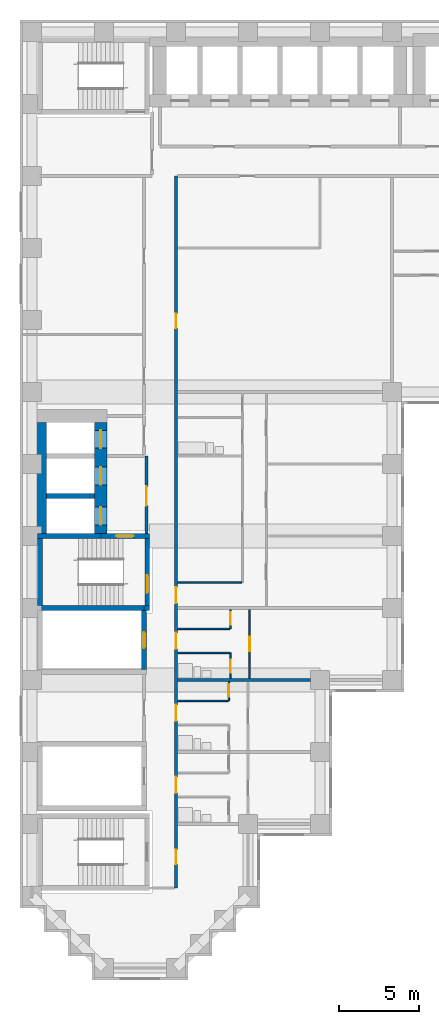
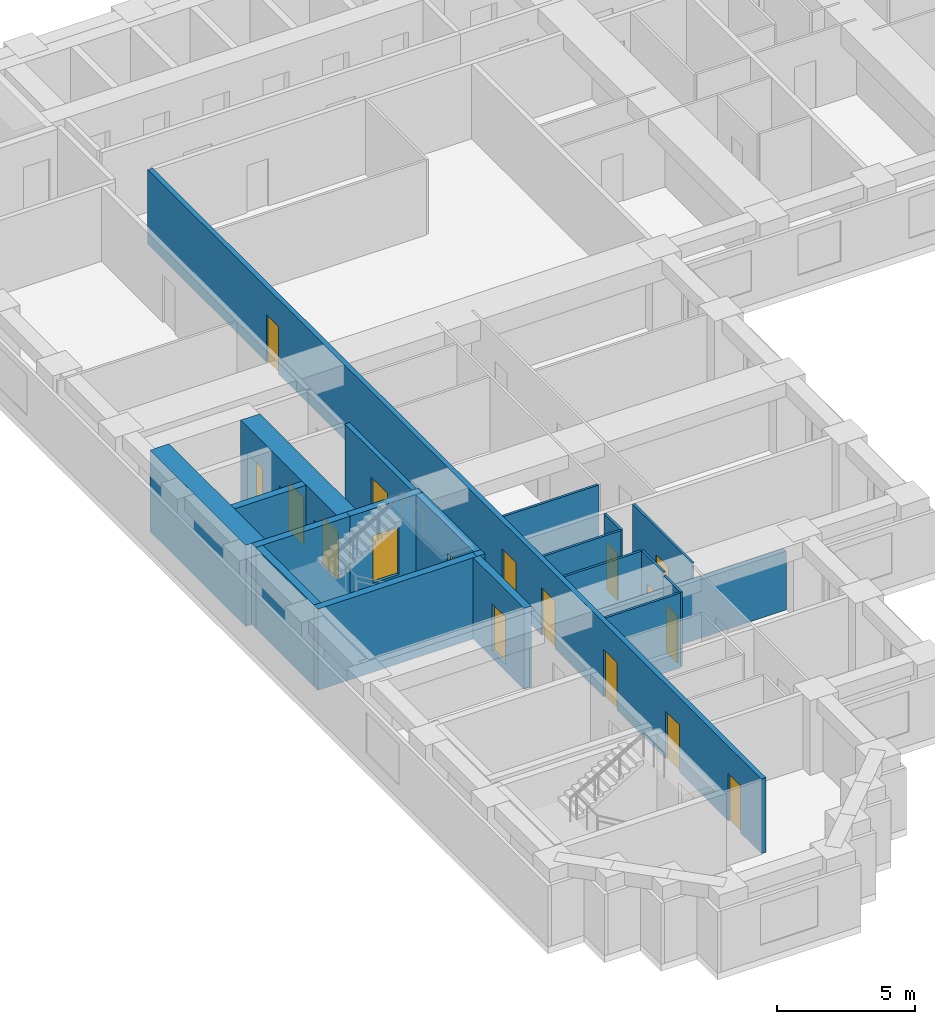
# One storey, part 3 of 11: 21 walls, 17 doors, 17 openings.
"""IFC4 building model written with IfcOpenShell, lengths in metres."""

from ifc_helpers import new_model, si_unit, direction, frame, frame_2d, origin, place, context, subcontext, project, spatial, rectangle, extrude, material, layer, layer_set, type_object, element, fill, save


model = new_model("IFC4")

# Units and contexts
model_context = context("Model", 3, precision=1e-05, world=origin(), true_north=direction((0.0, 1.0)))
body_context = subcontext(model_context, "Body", "Model", "MODEL_VIEW")
ifc_project = project(units=[si_unit("LENGTHUNIT", "METRE"), si_unit("AREAUNIT", "SQUARE_METRE"), si_unit("VOLUMEUNIT", "CUBIC_METRE"), si_unit("PLANEANGLEUNIT", "RADIAN"), si_unit("MASSUNIT", "GRAM", prefix="KILO")], contexts=[model_context])

# Site, building, storey
site_placement = place(None, origin())
site = spatial("IfcSite", under=ifc_project, at=site_placement, CompositionType="ELEMENT")
building_placement = place(site_placement, origin())
building = spatial("IfcBuilding", under=site, at=building_placement, Name="Firuza Court", CompositionType="ELEMENT")
storey_placement = place(building_placement, frame((0.0, 0.0, 79.39990234375)))
storey = spatial("IfcBuildingStorey", under=building, at=storey_placement, Name="L19", CompositionType="ELEMENT", Elevation=79.39990234375)

# Walls
ifc_material_1 = material(Name="Moisture-resistant gypsum board partition")
ifc_layer_1 = layer(ifc_material_1, 0.10009765625)
ifc_layer_set_1 = layer_set([ifc_layer_1], Name="Moisture-resistant gypsum board partition")
wall_type_1 = type_object("IfcWallType", Name="Bathroom partition 100", PredefinedType="PLUMBINGWALL", material=ifc_layer_set_1)
wall_1_placement = place(storey_placement, frame((9.10009765625, 19.699951171875, 0.0), z_axis=(0.0, 0.0, 1.0), x_axis=(1.0, 0.0, 0.0)))
element("IfcWall", 1, at=wall_1_placement, inside=storey, type_object=wall_type_1, Name="Bathroom partition 100 L19", PredefinedType="PLUMBINGWALL", context=body_context, shape_type="SweptSolid", body=[
    extrude(rectangle(XDim=3.25, YDim=0.10009765625, at=frame_2d((1.625, 0.0))), origin(), (0.0, 0.0, 1.0), 3.300048828125),
])
ifc_material_2 = material(Name="Concrete C60/75", Category="concrete")
ifc_layer_2 = layer(ifc_material_2, 0.300048828125)
ifc_layer_set_2 = layer_set([ifc_layer_2], Name="Concrete C60/75")
wall_type_2 = type_object("IfcWallType", Name="Core wall 300 C60/75", PredefinedType="SHEAR", material=ifc_layer_set_2)
wall_2_placement = place(storey_placement, frame((0.35009765625, 22.5, -0.2998046875), z_axis=(0.0, 0.0, 1.0), x_axis=(1.0, 0.0, 0.0)))
element("IfcWall", 2, at=wall_2_placement, inside=storey, type_object=wall_type_2, Name="Core wall riser L19", PredefinedType="SHEAR", context=body_context, shape_type="SweptSolid", body=[
    extrude(rectangle(XDim=6.64990234375, YDim=0.300048828125, at=frame_2d((3.324951171875, 0.0))), origin(), (0.0, 0.0, 1.0), 3.599853515625),
])
wall_3_placement = place(storey_placement, frame((0.35009765625, 27.0, -0.2998046875), z_axis=(0.0, 0.0, 1.0), x_axis=(1.0, 0.0, 0.0)))
element("IfcWall", 3, at=wall_3_placement, inside=storey, type_object=wall_type_2, Name="Core wall lift shaft L19", PredefinedType="SHEAR", context=body_context, shape_type="SweptSolid", body=[
    extrude(rectangle(XDim=3.949951171875, YDim=0.300048828125, at=frame_2d((1.97509765625, 0.0))), origin(), (0.0, 0.0, 1.0), 3.599853515625),
])
wall_4_placement = place(storey_placement, frame((0.5, 22.64990234375, -0.2998046875), z_axis=(0.0, 0.0, 1.0), x_axis=(0.0, 1.0, 0.0)))
element("IfcWall", 4, at=wall_4_placement, inside=storey, type_object=wall_type_2, Name="Core wall stair L19", PredefinedType="SHEAR", context=body_context, shape_type="SweptSolid", body=[
    extrude(rectangle(XDim=4.2001953125, YDim=0.300048828125, at=frame_2d((2.10009765625, 0.0))), origin(), (0.0, 0.0, 1.0), 3.599853515625),
])
wall_5_placement = place(storey_placement, frame((0.89990234375, 29.5, -0.2998046875), z_axis=(0.0, 0.0, 1.0), x_axis=(1.0, 0.0, 0.0)))
element("IfcWall", 5, at=wall_5_placement, inside=storey, type_object=wall_type_2, Name="Core wall lift shaft L19", PredefinedType="SHEAR", context=body_context, shape_type="SweptSolid", body=[
    extrude(rectangle(XDim=3.0, YDim=0.300048828125, at=frame_2d((1.5, 0.0))), origin(), (0.0, 0.0, 1.0), 3.599853515625),
])

# Wall, opening, door
wall_6_placement = place(storey_placement, frame((4.300048828125, 27.0, -0.2998046875), z_axis=(0.0, 0.0, 1.0), x_axis=(1.0, 0.0, 0.0)))
wall_6 = element("IfcWall", 6, at=wall_6_placement, inside=storey, type_object=wall_type_2, Name="Core wall stair L19", PredefinedType="SHEAR", context=body_context, shape_type="SweptSolid", body=[
    extrude(rectangle(XDim=3.050048828125, YDim=0.300048828125, at=frame_2d((1.52490234375, 0.0))), origin(), (0.0, 0.0, 1.0), 3.599853515625),
])
opening_1_placement = place(wall_6_placement, frame((0.949951171875, 0.0, 0.300048828125)))
opening_1 = element("IfcOpeningElement", 7, at=opening_1_placement, cuts=wall_6, Name="Opening D19014", PredefinedType="OPENING", context=body_context, shape_type="SweptSolid", body=[
    extrude(rectangle(XDim=1.10009765625, YDim=2.10009765625, at=frame_2d((0.550048828125, 1.050048828125))), frame((0.0, 0.162109375, 0.0), z_axis=(0.0, -1.0, 0.0), x_axis=(1.0, 0.0, 0.0)), (0.0, 0.0, 1.0), 0.323974609375),
])
ifc_material_3 = material(Name="Timber door leaf in hardwood frame", Category="wood")
door_type_1 = type_object("IfcDoorType", Name="Stair door 1100", OperationType="SINGLE_SWING_LEFT", PredefinedType="DOOR", material=ifc_material_3)
door_1_placement = place(opening_1_placement, frame((1.10009765625, 0.0, 0.0), z_axis=(0.0, 0.0, 1.0), x_axis=(-1.0, 0.0, 0.0)))
door_1 = element("IfcDoor", 8, at=door_1_placement, inside=storey, type_object=door_type_1, Name="Fire-fighting lobby door", OperationType="SINGLE_SWING_LEFT", OverallHeight=2.10009765625, OverallWidth=1.10009765625, PredefinedType="DOOR", context=body_context, shape_type="SweptSolid", body=[
    extrude(rectangle(XDim=1.10009765625, YDim=2.10009765625, at=frame_2d((0.550048828125, 1.050048828125))), frame((0.0, 0.02490234375, 0.0), z_axis=(0.0, -1.0, 0.0), x_axis=(1.0, 0.0, 0.0)), (0.0, 0.0, 1.0), 0.050048828125),
])
fill(opening_1, door_1)

wall_7_placement = place(storey_placement, frame((7.0, 18.64990234375, -0.2998046875), z_axis=(0.0, 0.0, 1.0), x_axis=(0.0, 1.0, 0.0)))
wall_7 = element("IfcWall", 9, at=wall_7_placement, inside=storey, type_object=wall_type_2, Name="Core wall riser L19", PredefinedType="SHEAR", context=body_context, shape_type="SweptSolid", body=[
    extrude(rectangle(XDim=3.7001953125, YDim=0.300048828125, at=frame_2d((1.85009765625, 0.0))), origin(), (0.0, 0.0, 1.0), 3.599853515625),
])
opening_2_placement = place(wall_7_placement, frame((1.35009765625, 0.0, 0.300048828125)))
opening_2 = element("IfcOpeningElement", 10, at=opening_2_placement, cuts=wall_7, Name="Opening D19010", PredefinedType="OPENING", context=body_context, shape_type="SweptSolid", body=[
    extrude(rectangle(XDim=1.0, YDim=2.10009765625, at=frame_2d((0.5, 1.050048828125))), frame((0.0, 0.162109375, 0.0), z_axis=(0.0, -1.0, 0.0), x_axis=(1.0, 0.0, 0.0)), (0.0, 0.0, 1.0), 0.323974609375),
])
ifc_material_4 = material(Name="Timber door leaf in hardwood frame", Category="wood")
door_type_2 = type_object("IfcDoorType", Name="Riser door 1000", OperationType="SINGLE_SWING_LEFT", PredefinedType="DOOR", material=ifc_material_4)
door_2_placement = place(opening_2_placement, origin())
door_2 = element("IfcDoor", 11, at=door_2_placement, inside=storey, type_object=door_type_2, Name="Riser door R1", OperationType="SINGLE_SWING_LEFT", OverallHeight=2.10009765625, OverallWidth=1.0, PredefinedType="DOOR", context=body_context, shape_type="SweptSolid", body=[
    extrude(rectangle(XDim=1.0, YDim=2.10009765625, at=frame_2d((0.5, 1.050048828125))), frame((0.0, 0.02490234375, 0.0), z_axis=(0.0, -1.0, 0.0), x_axis=(1.0, 0.0, 0.0)), (0.0, 0.0, 1.0), 0.050048828125),
])
fill(opening_2, door_2)

# Wall
wall_8_placement = place(storey_placement, frame((7.0, 22.5, -0.2998046875), z_axis=(0.0, 0.0, 1.0), x_axis=(1.0, 0.0, 0.0)))
element("IfcWall", 12, at=wall_8_placement, inside=storey, type_object=wall_type_2, Name="Core wall stair L19", PredefinedType="SHEAR", context=body_context, shape_type="SweptSolid", body=[
    extrude(rectangle(XDim=0.35009765625, YDim=0.300048828125, at=frame_2d((0.175048828125, 0.0))), origin(), (0.0, 0.0, 1.0), 3.599853515625),
])

# Wall, opening, door
wall_9_placement = place(storey_placement, frame((7.199951171875, 22.64990234375, -0.2998046875), z_axis=(0.0, 0.0, 1.0), x_axis=(0.0, 1.0, 0.0)))
wall_9 = element("IfcWall", 13, at=wall_9_placement, inside=storey, type_object=wall_type_2, Name="Core wall stair L19", PredefinedType="SHEAR", context=body_context, shape_type="SweptSolid", body=[
    extrude(rectangle(XDim=4.2001953125, YDim=0.300048828125, at=frame_2d((2.10009765625, 0.0))), origin(), (0.0, 0.0, 1.0), 3.599853515625),
])
opening_3_placement = place(wall_9_placement, frame((0.800048828125, 0.0, 0.300048828125)))
opening_3 = element("IfcOpeningElement", 14, at=opening_3_placement, cuts=wall_9, Name="Opening D19015", PredefinedType="OPENING", context=body_context, shape_type="SweptSolid", body=[
    extrude(rectangle(XDim=1.10009765625, YDim=2.10009765625, at=frame_2d((0.550048828125, 1.050048828125))), frame((0.0, 0.162109375, 0.0), z_axis=(0.0, -1.0, 0.0), x_axis=(1.0, 0.0, 0.0)), (0.0, 0.0, 1.0), 0.323974609375),
])
door_3_placement = place(opening_3_placement, origin())
door_3 = element("IfcDoor", 15, at=door_3_placement, inside=storey, type_object=door_type_1, Name="Stair door S2", OperationType="SINGLE_SWING_LEFT", OverallHeight=2.10009765625, OverallWidth=1.10009765625, PredefinedType="DOOR", context=body_context, shape_type="SweptSolid", body=[
    extrude(rectangle(XDim=1.10009765625, YDim=2.10009765625, at=frame_2d((0.550048828125, 1.050048828125))), frame((0.0, 0.02490234375, 0.0), z_axis=(0.0, -1.0, 0.0), x_axis=(1.0, 0.0, 0.0)), (0.0, 0.0, 1.0), 0.050048828125),
])
fill(opening_3, door_3)

# Wall
ifc_layer_3 = layer(ifc_material_2, 0.800048828125)
ifc_layer_set_3 = layer_set([ifc_layer_3], Name="Concrete C60/75")
wall_type_3 = type_object("IfcWallType", Name="Core wall 800 C60/75", PredefinedType="SHEAR", material=ifc_layer_set_3)
wall_10_placement = place(storey_placement, frame((0.5, 27.14990234375, -0.2998046875), z_axis=(0.0, 0.0, 1.0), x_axis=(0.0, 1.0, 0.0)))
element("IfcWall", 16, at=wall_10_placement, inside=storey, type_object=wall_type_3, Name="Core wall lift shaft L19", PredefinedType="SHEAR", context=body_context, shape_type="SweptSolid", body=[
    extrude(rectangle(XDim=6.9501953125, YDim=0.800048828125, at=frame_2d((3.47509765625, 0.0))), origin(), (0.0, 0.0, 1.0), 3.599853515625),
])

# Wall, openings, doors
wall_11_placement = place(storey_placement, frame((4.300048828125, 27.14990234375, -0.2998046875), z_axis=(0.0, 0.0, 1.0), x_axis=(0.0, 1.0, 0.0)))
wall_11 = element("IfcWall", 17, at=wall_11_placement, inside=storey, type_object=wall_type_3, Name="Core wall lift shaft L19", PredefinedType="SHEAR", context=body_context, shape_type="SweptSolid", body=[
    extrude(rectangle(XDim=6.9501953125, YDim=0.800048828125, at=frame_2d((3.47509765625, 0.0))), origin(), (0.0, 0.0, 1.0), 3.599853515625),
])
opening_4_placement = place(wall_11_placement, frame((3.050048828125, 0.0, 0.300048828125)))
opening_4 = element("IfcOpeningElement", 18, at=opening_4_placement, cuts=wall_11, Name="Opening LD-FL1-19", PredefinedType="OPENING", context=body_context, shape_type="SweptSolid", body=[
    extrude(rectangle(XDim=1.10009765625, YDim=2.10009765625, at=frame_2d((0.550048828125, 1.050048828125))), frame((0.0, 0.412109375, 0.0), z_axis=(0.0, -1.0, 0.0), x_axis=(1.0, 0.0, 0.0)), (0.0, 0.0, 1.0), 0.823974609375),
])
opening_5_placement = place(wall_11_placement, frame((0.550048828125, 0.0, 0.300048828125)))
opening_5 = element("IfcOpeningElement", 19, at=opening_5_placement, cuts=wall_11, Name="Opening LD-FL2-19", PredefinedType="OPENING", context=body_context, shape_type="SweptSolid", body=[
    extrude(rectangle(XDim=1.10009765625, YDim=2.10009765625, at=frame_2d((0.550048828125, 1.050048828125))), frame((0.0, 0.412109375, 0.0), z_axis=(0.0, -1.0, 0.0), x_axis=(1.0, 0.0, 0.0)), (0.0, 0.0, 1.0), 0.823974609375),
])
opening_6_placement = place(wall_11_placement, frame((5.35009765625, 0.0, 0.300048828125)))
opening_6 = element("IfcOpeningElement", 20, at=opening_6_placement, cuts=wall_11, Name="Opening LD-SL1-19", PredefinedType="OPENING", context=body_context, shape_type="SweptSolid", body=[
    extrude(rectangle(XDim=1.10009765625, YDim=2.10009765625, at=frame_2d((0.550048828125, 1.050048828125))), frame((0.0, 0.412109375, 0.0), z_axis=(0.0, -1.0, 0.0), x_axis=(1.0, 0.0, 0.0)), (0.0, 0.0, 1.0), 0.823974609375),
])
ifc_material_5 = material(Name="Stainless steel 1.4301 door leaf", Category="steel")
door_type_3 = type_object("IfcDoorType", Name="Lift landing door 1100", OperationType="SLIDING_TO_LEFT", PredefinedType="DOOR", material=ifc_material_5)
door_4_placement = place(opening_4_placement, origin())
door_4 = element("IfcDoor", 21, at=door_4_placement, inside=storey, type_object=door_type_3, Name="Landing door FL1", OperationType="SLIDING_TO_LEFT", OverallHeight=2.10009765625, OverallWidth=1.10009765625, PredefinedType="DOOR", context=body_context, shape_type="SweptSolid", body=[
    extrude(rectangle(XDim=1.10009765625, YDim=2.10009765625, at=frame_2d((0.550048828125, 1.050048828125))), frame((0.0, 0.02490234375, 0.0), z_axis=(0.0, -1.0, 0.0), x_axis=(1.0, 0.0, 0.0)), (0.0, 0.0, 1.0), 0.050048828125),
])
fill(opening_4, door_4)
door_5_placement = place(opening_5_placement, origin())
door_5 = element("IfcDoor", 22, at=door_5_placement, inside=storey, type_object=door_type_3, Name="Landing door FL2", OperationType="SLIDING_TO_LEFT", OverallHeight=2.10009765625, OverallWidth=1.10009765625, PredefinedType="DOOR", context=body_context, shape_type="SweptSolid", body=[
    extrude(rectangle(XDim=1.10009765625, YDim=2.10009765625, at=frame_2d((0.550048828125, 1.050048828125))), frame((0.0, 0.02490234375, 0.0), z_axis=(0.0, -1.0, 0.0), x_axis=(1.0, 0.0, 0.0)), (0.0, 0.0, 1.0), 0.050048828125),
])
fill(opening_5, door_5)
door_6_placement = place(opening_6_placement, origin())
door_6 = element("IfcDoor", 23, at=door_6_placement, inside=storey, type_object=door_type_3, Name="Landing door SL1", OperationType="SLIDING_TO_LEFT", OverallHeight=2.10009765625, OverallWidth=1.10009765625, PredefinedType="DOOR", context=body_context, shape_type="SweptSolid", body=[
    extrude(rectangle(XDim=1.10009765625, YDim=2.10009765625, at=frame_2d((0.550048828125, 1.050048828125))), frame((0.0, 0.02490234375, 0.0), z_axis=(0.0, -1.0, 0.0), x_axis=(1.0, 0.0, 0.0)), (0.0, 0.0, 1.0), 0.050048828125),
])
fill(opening_6, door_6)

ifc_material_6 = material(Name="Blockwork, plastered both sides", Category="masonry")
ifc_layer_4 = layer(ifc_material_6, 0.199951171875)
ifc_layer_set_4 = layer_set([ifc_layer_4], Name="Blockwork, plastered both sides")
wall_type_4 = type_object("IfcWallType", Name="Corridor wall 200", PredefinedType="PARTITIONING", material=ifc_layer_set_4)
wall_12_placement = place(storey_placement, frame((9.0, 5.0, 0.0), z_axis=(0.0, 0.0, 1.0), x_axis=(0.0, 1.0, 0.0)))
wall_12 = element("IfcWall", 24, at=wall_12_placement, inside=storey, type_object=wall_type_4, Name="Corridor wall 200 L19", PredefinedType="PARTITIONING", context=body_context, shape_type="SweptSolid", body=[
    extrude(rectangle(XDim=44.5, YDim=0.199951171875, at=frame_2d((22.25, 0.0))), origin(), (0.0, 0.0, 1.0), 3.300048828125),
])
opening_7_placement = place(wall_12_placement, frame((17.800048828125, 0.0, 0.0)))
opening_7 = element("IfcOpeningElement", 25, at=opening_7_placement, cuts=wall_12, Name="Opening D19019", PredefinedType="OPENING", context=body_context, shape_type="SweptSolid", body=[
    extrude(rectangle(XDim=1.0, YDim=2.10009765625, at=frame_2d((0.5, 1.050048828125))), frame((0.0, 0.11181640625, 0.0), z_axis=(0.0, -1.0, 0.0), x_axis=(1.0, 0.0, 0.0)), (0.0, 0.0, 1.0), 0.223876953125),
])
opening_8_placement = place(wall_12_placement, frame((14.949951171875, 0.0, 0.0)))
opening_8 = element("IfcOpeningElement", 26, at=opening_8_placement, cuts=wall_12, Name="Opening D19020", PredefinedType="OPENING", context=body_context, shape_type="SweptSolid", body=[
    extrude(rectangle(XDim=1.0, YDim=2.10009765625, at=frame_2d((0.5, 1.050048828125))), frame((0.0, 0.11181640625, 0.0), z_axis=(0.0, -1.0, 0.0), x_axis=(1.0, 0.0, 0.0)), (0.0, 0.0, 1.0), 0.223876953125),
])
opening_9_placement = place(wall_12_placement, frame((10.449951171875, 0.0, 0.0)))
opening_9 = element("IfcOpeningElement", 27, at=opening_9_placement, cuts=wall_12, Name="Opening D19021", PredefinedType="OPENING", context=body_context, shape_type="SweptSolid", body=[
    extrude(rectangle(XDim=1.0, YDim=2.10009765625, at=frame_2d((0.5, 1.050048828125))), frame((0.0, 0.11181640625, 0.0), z_axis=(0.0, -1.0, 0.0), x_axis=(1.0, 0.0, 0.0)), (0.0, 0.0, 1.0), 0.223876953125),
])
opening_10_placement = place(wall_12_placement, frame((5.949951171875, 0.0, 0.0)))
opening_10 = element("IfcOpeningElement", 28, at=opening_10_placement, cuts=wall_12, Name="Opening D19022", PredefinedType="OPENING", context=body_context, shape_type="SweptSolid", body=[
    extrude(rectangle(XDim=1.0, YDim=2.10009765625, at=frame_2d((0.5, 1.050048828125))), frame((0.0, 0.11181640625, 0.0), z_axis=(0.0, -1.0, 0.0), x_axis=(1.0, 0.0, 0.0)), (0.0, 0.0, 1.0), 0.223876953125),
])
opening_11_placement = place(wall_12_placement, frame((35.0, 0.0, 0.0)))
opening_11 = element("IfcOpeningElement", 29, at=opening_11_placement, cuts=wall_12, Name="Opening D19023", PredefinedType="OPENING", context=body_context, shape_type="SweptSolid", body=[
    extrude(rectangle(XDim=0.89990234375, YDim=2.10009765625, at=frame_2d((0.449951171875, 1.050048828125))), frame((0.0, 0.11181640625, 0.0), z_axis=(0.0, -1.0, 0.0), x_axis=(1.0, 0.0, 0.0)), (0.0, 0.0, 1.0), 0.223876953125),
])
opening_12_placement = place(wall_12_placement, frame((1.5, 0.0, 0.0)))
opening_12 = element("IfcOpeningElement", 30, at=opening_12_placement, cuts=wall_12, Name="Opening D19024", PredefinedType="OPENING", context=body_context, shape_type="SweptSolid", body=[
    extrude(rectangle(XDim=0.89990234375, YDim=2.10009765625, at=frame_2d((0.449951171875, 1.050048828125))), frame((0.0, 0.11181640625, 0.0), z_axis=(0.0, -1.0, 0.0), x_axis=(1.0, 0.0, 0.0)), (0.0, 0.0, 1.0), 0.223876953125),
])
ifc_material_7 = material(Name="Timber door leaf in hardwood frame", Category="wood")
door_type_4 = type_object("IfcDoorType", Name="Flat entrance door 1000", OperationType="SINGLE_SWING_LEFT", PredefinedType="DOOR", material=ifc_material_7)
door_7_placement = place(opening_7_placement, origin())
door_7 = element("IfcDoor", 31, at=door_7_placement, inside=storey, type_object=door_type_4, Name="Flat entrance door", OperationType="SINGLE_SWING_LEFT", OverallHeight=2.10009765625, OverallWidth=1.0, PredefinedType="DOOR", context=body_context, shape_type="SweptSolid", body=[
    extrude(rectangle(XDim=1.0, YDim=2.10009765625, at=frame_2d((0.5, 1.050048828125))), frame((0.0, 0.02490234375, 0.0), z_axis=(0.0, -1.0, 0.0), x_axis=(1.0, 0.0, 0.0)), (0.0, 0.0, 1.0), 0.050048828125),
])
fill(opening_7, door_7)
door_8_placement = place(opening_8_placement, origin())
door_8 = element("IfcDoor", 32, at=door_8_placement, inside=storey, type_object=door_type_4, Name="Flat entrance door", OperationType="SINGLE_SWING_LEFT", OverallHeight=2.10009765625, OverallWidth=1.0, PredefinedType="DOOR", context=body_context, shape_type="SweptSolid", body=[
    extrude(rectangle(XDim=1.0, YDim=2.10009765625, at=frame_2d((0.5, 1.050048828125))), frame((0.0, 0.02490234375, 0.0), z_axis=(0.0, -1.0, 0.0), x_axis=(1.0, 0.0, 0.0)), (0.0, 0.0, 1.0), 0.050048828125),
])
fill(opening_8, door_8)
door_9_placement = place(opening_9_placement, origin())
door_9 = element("IfcDoor", 33, at=door_9_placement, inside=storey, type_object=door_type_4, Name="Flat entrance door", OperationType="SINGLE_SWING_LEFT", OverallHeight=2.10009765625, OverallWidth=1.0, PredefinedType="DOOR", context=body_context, shape_type="SweptSolid", body=[
    extrude(rectangle(XDim=1.0, YDim=2.10009765625, at=frame_2d((0.5, 1.050048828125))), frame((0.0, 0.02490234375, 0.0), z_axis=(0.0, -1.0, 0.0), x_axis=(1.0, 0.0, 0.0)), (0.0, 0.0, 1.0), 0.050048828125),
])
fill(opening_9, door_9)
door_10_placement = place(opening_10_placement, origin())
door_10 = element("IfcDoor", 34, at=door_10_placement, inside=storey, type_object=door_type_4, Name="Flat entrance door", OperationType="SINGLE_SWING_LEFT", OverallHeight=2.10009765625, OverallWidth=1.0, PredefinedType="DOOR", context=body_context, shape_type="SweptSolid", body=[
    extrude(rectangle(XDim=1.0, YDim=2.10009765625, at=frame_2d((0.5, 1.050048828125))), frame((0.0, 0.02490234375, 0.0), z_axis=(0.0, -1.0, 0.0), x_axis=(1.0, 0.0, 0.0)), (0.0, 0.0, 1.0), 0.050048828125),
])
fill(opening_10, door_10)
ifc_material_8 = material(Name="Timber door leaf in hardwood frame", Category="wood")
door_type_5 = type_object("IfcDoorType", Name="Room door 900 EI 30", OperationType="SINGLE_SWING_LEFT", PredefinedType="DOOR", material=ifc_material_8)
door_11_placement = place(opening_11_placement, origin())
door_11 = element("IfcDoor", 35, at=door_11_placement, inside=storey, type_object=door_type_5, Name="Residents' lounge door", OperationType="SINGLE_SWING_LEFT", OverallHeight=2.10009765625, OverallWidth=0.89990234375, PredefinedType="DOOR", context=body_context, shape_type="SweptSolid", body=[
    extrude(rectangle(XDim=0.89990234375, YDim=2.10009765625, at=frame_2d((0.449951171875, 1.050048828125))), frame((0.0, 0.02490234375, 0.0), z_axis=(0.0, -1.0, 0.0), x_axis=(1.0, 0.0, 0.0)), (0.0, 0.0, 1.0), 0.050048828125),
])
fill(opening_11, door_11)
door_12_placement = place(opening_12_placement, frame((0.89990234375, 0.0, 0.0), z_axis=(0.0, 0.0, 1.0), x_axis=(-1.0, 0.0, 0.0)))
door_12 = element("IfcDoor", 36, at=door_12_placement, inside=storey, type_object=door_type_5, Name="Meeting room door", OperationType="SINGLE_SWING_LEFT", OverallHeight=2.10009765625, OverallWidth=0.89990234375, PredefinedType="DOOR", context=body_context, shape_type="SweptSolid", body=[
    extrude(rectangle(XDim=0.89990234375, YDim=2.10009765625, at=frame_2d((0.449951171875, 1.050048828125))), frame((0.0, 0.02490234375, 0.0), z_axis=(0.0, -1.0, 0.0), x_axis=(1.0, 0.0, 0.0)), (0.0, 0.0, 1.0), 0.050048828125),
])
fill(opening_12, door_12)

# Wall
ifc_material_9 = material(Name="Timber stud partition, plasterboard both sides", Category="wood")
ifc_layer_5 = layer(ifc_material_9, 0.10009765625)
ifc_layer_set_5 = layer_set([ifc_layer_5], Name="Timber stud partition, plasterboard both sides")
wall_type_5 = type_object("IfcWallType", Name="Partition wall 100", PredefinedType="PARTITIONING", material=ifc_layer_set_5)
wall_13_placement = place(storey_placement, frame((9.10009765625, 16.699951171875, 0.0), z_axis=(0.0, 0.0, 1.0), x_axis=(1.0, 0.0, 0.0)))
element("IfcWall", 37, at=wall_13_placement, inside=storey, type_object=wall_type_5, Name="Partition wall 100 L19", PredefinedType="PARTITIONING", context=body_context, shape_type="SweptSolid", body=[
    extrude(rectangle(XDim=3.14990234375, YDim=0.10009765625, at=frame_2d((1.574951171875, 0.0))), origin(), (0.0, 0.0, 1.0), 3.300048828125),
])

# Wall, opening, door
wall_14_placement = place(storey_placement, frame((12.300048828125, 16.699951171875, 0.0), z_axis=(0.0, 0.0, 1.0), x_axis=(0.0, 1.0, 0.0)))
wall_14 = element("IfcWall", 38, at=wall_14_placement, inside=storey, type_object=wall_type_5, Name="Partition wall 100 L19", PredefinedType="PARTITIONING", context=body_context, shape_type="SweptSolid", body=[
    extrude(rectangle(XDim=1.199951171875, YDim=0.10009765625, at=frame_2d((0.60009765625, 0.0))), origin(), (0.0, 0.0, 1.0), 3.300048828125),
])
opening_13_placement = place(wall_14_placement, frame((0.25, 0.0, 0.0)))
opening_13 = element("IfcOpeningElement", 39, at=opening_13_placement, cuts=wall_14, Name="Opening D19031", PredefinedType="OPENING", context=body_context, shape_type="SweptSolid", body=[
    extrude(rectangle(XDim=0.800048828125, YDim=2.10009765625, at=frame_2d((0.39990234375, 1.050048828125))), frame((0.0, 0.06201171875, 0.0), z_axis=(0.0, -1.0, 0.0), x_axis=(1.0, 0.0, 0.0)), (0.0, 0.0, 1.0), 0.1240234375),
])
ifc_material_10 = material(Name="Timber door leaf in hardwood frame", Category="wood")
door_type_6 = type_object("IfcDoorType", Name="Room door 800", OperationType="SINGLE_SWING_LEFT", PredefinedType="DOOR", material=ifc_material_10)
door_13_placement = place(opening_13_placement, origin())
door_13 = element("IfcDoor", 40, at=door_13_placement, inside=storey, type_object=door_type_6, Name="Kitchen door", OperationType="SINGLE_SWING_LEFT", OverallHeight=2.10009765625, OverallWidth=0.800048828125, PredefinedType="DOOR", context=body_context, shape_type="SweptSolid", body=[
    extrude(rectangle(XDim=0.800048828125, YDim=2.10009765625, at=frame_2d((0.39990234375, 1.050048828125))), frame((0.0, 0.02490234375, 0.0), z_axis=(0.0, -1.0, 0.0), x_axis=(1.0, 0.0, 0.0)), (0.0, 0.0, 1.0), 0.050048828125),
])
fill(opening_13, door_13)

wall_15_placement = place(storey_placement, frame((12.39990234375, 18.10009765625, 0.0), z_axis=(0.0, 0.0, 1.0), x_axis=(0.0, 1.0, 0.0)))
wall_15 = element("IfcWall", 41, at=wall_15_placement, inside=storey, type_object=wall_type_5, Name="Partition wall 100 L19", PredefinedType="PARTITIONING", context=body_context, shape_type="SweptSolid", body=[
    extrude(rectangle(XDim=1.599853515625, YDim=0.10009765625, at=frame_2d((0.7998046875, 0.0))), origin(), (0.0, 0.0, 1.0), 3.300048828125),
])
opening_14_placement = place(wall_15_placement, frame((0.35009765625, 0.0, 0.0)))
opening_14 = element("IfcOpeningElement", 42, at=opening_14_placement, cuts=wall_15, Name="Opening D19032", PredefinedType="OPENING", context=body_context, shape_type="SweptSolid", body=[
    extrude(rectangle(XDim=0.800048828125, YDim=2.10009765625, at=frame_2d((0.39990234375, 1.050048828125))), frame((0.0, 0.06201171875, 0.0), z_axis=(0.0, -1.0, 0.0), x_axis=(1.0, 0.0, 0.0)), (0.0, 0.0, 1.0), 0.1240234375),
])
ifc_material_11 = material(Name="Timber door leaf in hardwood frame", Category="wood")
door_type_7 = type_object("IfcDoorType", Name="Bathroom door 800", OperationType="SINGLE_SWING_LEFT", PredefinedType="DOOR", material=ifc_material_11)
door_14_placement = place(opening_14_placement, origin())
door_14 = element("IfcDoor", 43, at=door_14_placement, inside=storey, type_object=door_type_7, Name="Bathroom door", OperationType="SINGLE_SWING_LEFT", OverallHeight=2.10009765625, OverallWidth=0.800048828125, PredefinedType="DOOR", context=body_context, shape_type="SweptSolid", body=[
    extrude(rectangle(XDim=0.800048828125, YDim=2.10009765625, at=frame_2d((0.39990234375, 1.050048828125))), frame((0.0, 0.02490234375, 0.0), z_axis=(0.0, -1.0, 0.0), x_axis=(1.0, 0.0, 0.0)), (0.0, 0.0, 1.0), 0.050048828125),
])
fill(opening_14, door_14)

wall_16_placement = place(storey_placement, frame((13.60009765625, 18.10009765625, 0.0), z_axis=(0.0, 0.0, 1.0), x_axis=(0.0, 1.0, 0.0)))
wall_16 = element("IfcWall", 44, at=wall_16_placement, inside=storey, type_object=wall_type_5, Name="Partition wall 100 L19", PredefinedType="PARTITIONING", context=body_context, shape_type="SweptSolid", body=[
    extrude(rectangle(XDim=4.2998046875, YDim=0.10009765625, at=frame_2d((2.14990234375, 0.0))), origin(), (0.0, 0.0, 1.0), 3.300048828125),
])
opening_15_placement = place(wall_16_placement, frame((1.699951171875, 0.0, 0.0)))
opening_15 = element("IfcOpeningElement", 45, at=opening_15_placement, cuts=wall_16, Name="Opening D19033", PredefinedType="OPENING", context=body_context, shape_type="SweptSolid", body=[
    extrude(rectangle(XDim=0.89990234375, YDim=2.10009765625, at=frame_2d((0.449951171875, 1.050048828125))), frame((0.0, 0.06201171875, 0.0), z_axis=(0.0, -1.0, 0.0), x_axis=(1.0, 0.0, 0.0)), (0.0, 0.0, 1.0), 0.1240234375),
])
ifc_material_12 = material(Name="Timber door leaf in hardwood frame", Category="wood")
door_type_8 = type_object("IfcDoorType", Name="Room door 900", OperationType="SINGLE_SWING_LEFT", PredefinedType="DOOR", material=ifc_material_12)
door_15_placement = place(opening_15_placement, frame((0.89990234375, 0.0, 0.0), z_axis=(0.0, 0.0, 1.0), x_axis=(-1.0, 0.0, 0.0)))
door_15 = element("IfcDoor", 46, at=door_15_placement, inside=storey, type_object=door_type_8, Name="Studio room door", OperationType="SINGLE_SWING_RIGHT", OverallHeight=2.10009765625, OverallWidth=0.89990234375, PredefinedType="DOOR", context=body_context, shape_type="SweptSolid", body=[
    extrude(rectangle(XDim=0.89990234375, YDim=2.10009765625, at=frame_2d((0.449951171875, 1.050048828125))), frame((0.0, 0.02490234375, 0.0), z_axis=(0.0, -1.0, 0.0), x_axis=(1.0, 0.0, 0.0)), (0.0, 0.0, 1.0), 0.050048828125),
])
fill(opening_15, door_15)

# Wall
wall_17_placement = place(storey_placement, frame((9.10009765625, 21.199951171875, 0.0), z_axis=(0.0, 0.0, 1.0), x_axis=(1.0, 0.0, 0.0)))
element("IfcWall", 47, at=wall_17_placement, inside=storey, type_object=wall_type_5, Name="Partition wall 100 L19", PredefinedType="PARTITIONING", context=body_context, shape_type="SweptSolid", body=[
    extrude(rectangle(XDim=3.25, YDim=0.10009765625, at=frame_2d((1.625, 0.0))), origin(), (0.0, 0.0, 1.0), 3.300048828125),
])

# Wall, opening, door
wall_18_placement = place(storey_placement, frame((12.39990234375, 21.199951171875, 0.0), z_axis=(0.0, 0.0, 1.0), x_axis=(0.0, 1.0, 0.0)))
wall_18 = element("IfcWall", 48, at=wall_18_placement, inside=storey, type_object=wall_type_5, Name="Partition wall 100 L19", PredefinedType="PARTITIONING", context=body_context, shape_type="SweptSolid", body=[
    extrude(rectangle(XDim=1.199951171875, YDim=0.10009765625, at=frame_2d((0.60009765625, 0.0))), origin(), (0.0, 0.0, 1.0), 3.300048828125),
])
opening_16_placement = place(wall_18_placement, frame((0.25, 0.0, 0.0)))
opening_16 = element("IfcOpeningElement", 49, at=opening_16_placement, cuts=wall_18, Name="Opening D19034", PredefinedType="OPENING", context=body_context, shape_type="SweptSolid", body=[
    extrude(rectangle(XDim=0.800048828125, YDim=2.10009765625, at=frame_2d((0.39990234375, 1.050048828125))), frame((0.0, 0.06201171875, 0.0), z_axis=(0.0, -1.0, 0.0), x_axis=(1.0, 0.0, 0.0)), (0.0, 0.0, 1.0), 0.1240234375),
])
door_16_placement = place(opening_16_placement, origin())
door_16 = element("IfcDoor", 50, at=door_16_placement, inside=storey, type_object=door_type_6, Name="Kitchen door", OperationType="SINGLE_SWING_LEFT", OverallHeight=2.10009765625, OverallWidth=0.800048828125, PredefinedType="DOOR", context=body_context, shape_type="SweptSolid", body=[
    extrude(rectangle(XDim=0.800048828125, YDim=2.10009765625, at=frame_2d((0.39990234375, 1.050048828125))), frame((0.0, 0.02490234375, 0.0), z_axis=(0.0, -1.0, 0.0), x_axis=(1.0, 0.0, 0.0)), (0.0, 0.0, 1.0), 0.050048828125),
])
fill(opening_16, door_16)

# Walls
wall_19_placement = place(storey_placement, frame((9.10009765625, 24.10009765625, 0.0), z_axis=(0.0, 0.0, 1.0), x_axis=(1.0, 0.0, 0.0)))
element("IfcWall", 51, at=wall_19_placement, inside=storey, type_object=wall_type_5, Name="Partition wall 100 L19", PredefinedType="PARTITIONING", context=body_context, shape_type="SweptSolid", body=[
    extrude(rectangle(XDim=4.0, YDim=0.10009765625, at=frame_2d((2.0, 0.0))), origin(), (0.0, 0.0, 1.0), 3.300048828125),
])
ifc_layer_6 = layer(ifc_material_6, 0.199951171875)
ifc_layer_set_6 = layer_set([ifc_layer_6], Name="Blockwork, plastered both sides")
wall_type_6 = type_object("IfcWallType", Name="Party wall 200", PredefinedType="PARTITIONING", material=ifc_layer_set_6)
wall_20_placement = place(storey_placement, frame((9.10009765625, 18.0, 0.0), z_axis=(0.0, 0.0, 1.0), x_axis=(1.0, 0.0, 0.0)))
element("IfcWall", 52, at=wall_20_placement, inside=storey, type_object=wall_type_6, Name="Party wall 200 L19", PredefinedType="PARTITIONING", context=body_context, shape_type="SweptSolid", body=[
    extrude(rectangle(XDim=8.2998046875, YDim=0.199951171875, at=frame_2d((4.14990234375, 0.0))), origin(), (0.0, 0.0, 1.0), 2.60009765625),
])

# Wall, opening, door
ifc_material_13 = material(Name="Blockwork, fire-rated", Category="masonry")
ifc_layer_7 = layer(ifc_material_13, 0.199951171875)
ifc_layer_set_7 = layer_set([ifc_layer_7], Name="Blockwork, fire-rated")
wall_type_7 = type_object("IfcWallType", Name="Shaft wall 200", PredefinedType="PARTITIONING", material=ifc_layer_set_7)
wall_21_placement = place(storey_placement, frame((7.14990234375, 27.169921875, 0.0), z_axis=(0.0, 0.0, 1.0), x_axis=(0.0, 1.0, 0.0)))
wall_21 = element("IfcWall", 53, at=wall_21_placement, inside=storey, type_object=wall_type_7, Name="Shaft wall 200 L19", PredefinedType="PARTITIONING", context=body_context, shape_type="SweptSolid", body=[
    extrude(rectangle(XDim=4.830078125, YDim=0.199951171875, at=frame_2d((2.4150390625, 0.0))), origin(), (0.0, 0.0, 1.0), 3.300048828125),
])
opening_17_placement = place(wall_21_placement, frame((1.72998046875, 0.0, 0.0)))
opening_17 = element("IfcOpeningElement", 54, at=opening_17_placement, cuts=wall_21, Name="Opening D19002", PredefinedType="OPENING", context=body_context, shape_type="SweptSolid", body=[
    extrude(rectangle(XDim=1.199951171875, YDim=2.10009765625, at=frame_2d((0.60009765625, 1.050048828125))), frame((0.0, 0.11181640625, 0.0), z_axis=(0.0, -1.0, 0.0), x_axis=(1.0, 0.0, 0.0)), (0.0, 0.0, 1.0), 0.223876953125),
])
ifc_material_14 = material(Name="Timber door leaf in hardwood frame", Category="wood")
door_type_9 = type_object("IfcDoorType", Name="Lobby door 1200", OperationType="SINGLE_SWING_LEFT", PredefinedType="DOOR", material=ifc_material_14)
door_17_placement = place(opening_17_placement, origin())
door_17 = element("IfcDoor", 55, at=door_17_placement, inside=storey, type_object=door_type_9, Name="Fire-fighting lobby door", OperationType="SINGLE_SWING_LEFT", OverallHeight=2.10009765625, OverallWidth=1.199951171875, PredefinedType="DOOR", context=body_context, shape_type="SweptSolid", body=[
    extrude(rectangle(XDim=1.199951171875, YDim=2.10009765625, at=frame_2d((0.60009765625, 1.050048828125))), frame((0.0, 0.02490234375, 0.0), z_axis=(0.0, -1.0, 0.0), x_axis=(1.0, 0.0, 0.0)), (0.0, 0.0, 1.0), 0.050048828125),
])
fill(opening_17, door_17)

save(model, "model.ifc")
